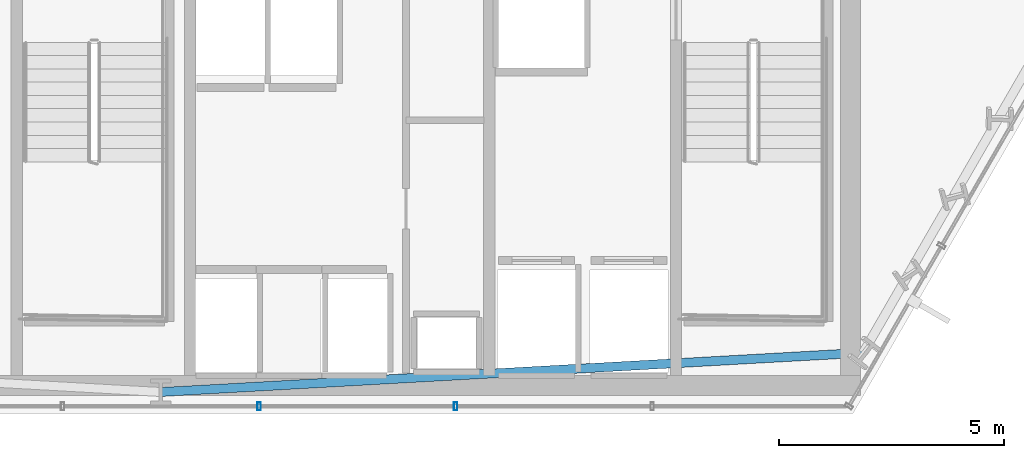
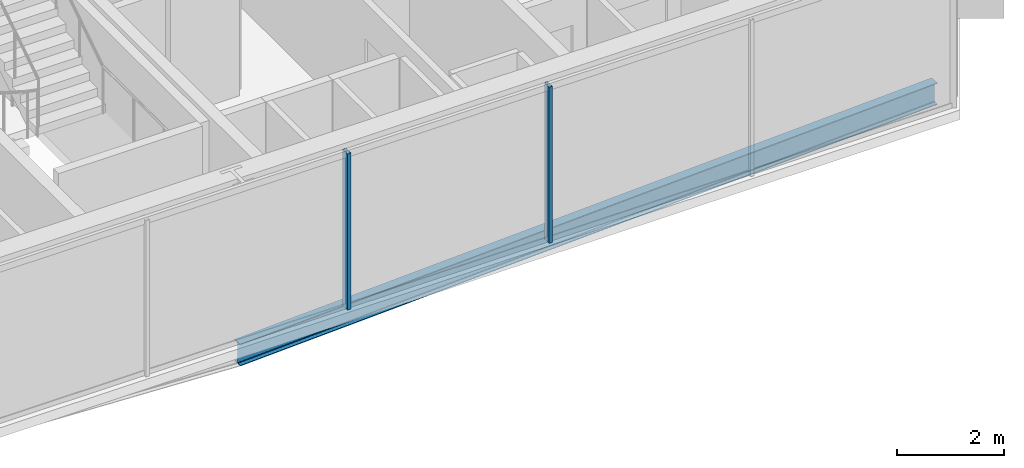
# One storey, part 8 of 33: 2 members, 1 beam, 1 element without a shape of its own.
"""IFC4 building model written with IfcOpenShell, lengths in metres."""

from ifc_helpers import new_model, si_unit, direction, frame, origin, origin_2d, place, context, subcontext, project, spatial, hollow_rectangle, i_section, extrude, material, layer, layer_set, material_profile, profile_set, type_object, element, aggregate, save


model = new_model("IFC4")

# Units and contexts
model_context = context("Model", 3, precision=1e-05, world=origin(), true_north=direction((0.0, 1.0)))
body_context = subcontext(model_context, "Body", "Model", "MODEL_VIEW")
ifc_project = project(units=[si_unit("LENGTHUNIT", "METRE"), si_unit("AREAUNIT", "SQUARE_METRE"), si_unit("VOLUMEUNIT", "CUBIC_METRE"), si_unit("PLANEANGLEUNIT", "RADIAN"), si_unit("MASSUNIT", "GRAM", prefix="KILO")], contexts=[model_context])

# Site, building, storey
site_placement = place(None, origin())
site = spatial("IfcSite", under=ifc_project, at=site_placement, CompositionType="ELEMENT")
building_placement = place(site_placement, origin())
building = spatial("IfcBuilding", under=site, at=building_placement, Name="Ndaravel Arena Tower", CompositionType="ELEMENT")
storey_placement = place(building_placement, frame((0.0, 0.0, 43.60009765625)))
storey = spatial("IfcBuildingStorey", under=building, at=storey_placement, Name="L08", CompositionType="ELEMENT", Elevation=43.60009765625)

# Beam
ifc_material_1 = material(Name="Steel S355", Category="steel")
ifc_material_profile_1 = material_profile(ifc_material_1, i_section(OverallWidth=0.199951171875, OverallDepth=0.5, WebThickness=0.01025390625, FlangeThickness=0.01611328125, FilletRadius=0.02099609375, at=origin_2d()), Name="IPE 500")
ifc_profile_set_1 = profile_set([ifc_material_profile_1], Name="Steel S355")
beam_type = type_object("IfcBeamType", Name="BM-SPAN-IPE500", PredefinedType="SPANDREL", material=ifc_profile_set_1)
beam_placement = place(storey_placement, frame((42.0, 5.47998046875, -0.47021484375), z_axis=(0.998443390482, 0.055774510331, 0.0), x_axis=(-0.055774510331, 0.998443390482, 0.0)))
element("IfcBeam", 1, at=beam_placement, inside=storey, type_object=beam_type, Name="L08 Perimeter Spandrel Beam SP-01", PredefinedType="SPANDREL", context=body_context, shape_type="SweptSolid", body=[
    extrude(i_section(OverallWidth=0.199951171875, OverallDepth=0.5, WebThickness=0.01025390625, FlangeThickness=0.01611328125, FilletRadius=0.02099609375, at=origin_2d()), origin(), (0.0, 0.0, 1.0), 15.63134765625),
])

# Curtain wall, members
ifc_material_2 = material(Name="Aluminium", Category="aluminium")
ifc_layer = layer(ifc_material_2, 0.179931640625)
ifc_layer_set = layer_set([ifc_layer], Name="Aluminium")
curtain_wall_type = type_object("IfcCurtainWallType", Name="CW-SYS-03", PredefinedType="NOTDEFINED", material=ifc_layer_set)
curtain_wall_placement = place(storey_placement, origin())
curtain_wall = element("IfcCurtainWall", 2, at=curtain_wall_placement, inside=storey, type_object=curtain_wall_type, Name="L08 Faceted Crystal Curtain Wall CW-L08-E01", PredefinedType="NOTDEFINED")
ifc_material_3 = material(Name="Aluminium", Category="aluminium")
ifc_material_profile_2 = material_profile(ifc_material_3, hollow_rectangle(XDim=0.074951171875, YDim=0.179931640625, WallThickness=0.00390625, at=origin_2d()), Name="CW MULLION 75x180x4")
ifc_profile_set_2 = profile_set([ifc_material_profile_2], Name="Aluminium")
member_type = type_object("IfcMemberType", Name="MEM-CW-MUL180", PredefinedType="MULLION", material=ifc_profile_set_2)
member_1_placement = place(storey_placement, frame((44.18408203125, 5.159912109375, 0.0), z_axis=(0.0, 0.0, 1.0), x_axis=(1.0, 0.0, 0.0)))
member_1 = element("IfcMember", 3, at=member_1_placement, type_object=member_type, Name="CW-L08-E01 Mullion 04", PredefinedType="MULLION", context=body_context, shape_type="SweptSolid", body=[
    extrude(hollow_rectangle(XDim=0.074951171875, YDim=0.179931640625, WallThickness=0.00390625, at=origin_2d()), origin(), (0.0, 0.0, 1.0), 3.579833984375),
])
member_2_placement = place(storey_placement, frame((48.552001953125, 5.159912109375, 0.0), z_axis=(0.0, 0.0, 1.0), x_axis=(1.0, 0.0, 0.0)))
member_2 = element("IfcMember", 4, at=member_2_placement, type_object=member_type, Name="CW-L08-E01 Mullion 05", PredefinedType="MULLION", context=body_context, shape_type="SweptSolid", body=[
    extrude(hollow_rectangle(XDim=0.074951171875, YDim=0.179931640625, WallThickness=0.00390625, at=origin_2d()), origin(), (0.0, 0.0, 1.0), 3.579833984375),
])
aggregate(curtain_wall, [member_1, member_2])

save(model, "model.ifc")
